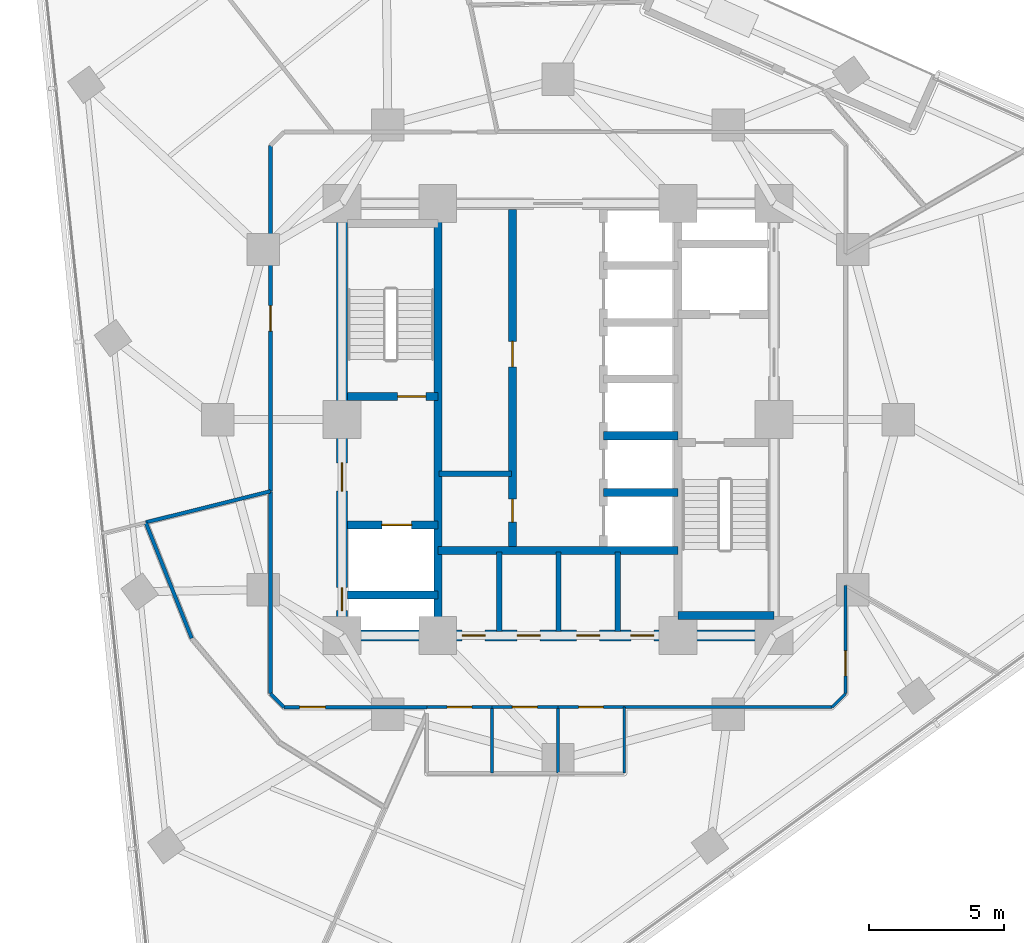
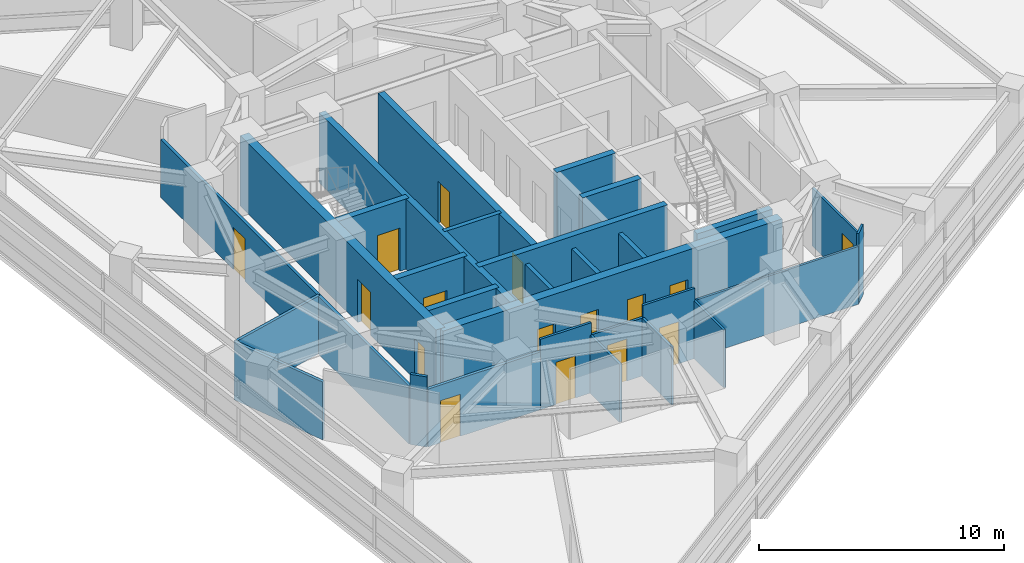
# One storey, part 8 of 14: 30 walls, 16 doors, 16 openings.
"""IFC4 building model written with IfcOpenShell, lengths in metres."""

from ifc_helpers import new_model, si_unit, direction, frame, frame_2d, origin, place, context, subcontext, project, spatial, rectangle, extrude, material, layer, layer_set, type_object, element, fill, save


model = new_model("IFC4")

# Units and contexts
model_context = context("Model", 3, precision=1e-05, world=origin(), true_north=direction((0.0, 1.0)))
body_context = subcontext(model_context, "Body", "Model", "MODEL_VIEW")
ifc_project = project(units=[si_unit("LENGTHUNIT", "METRE"), si_unit("AREAUNIT", "SQUARE_METRE"), si_unit("VOLUMEUNIT", "CUBIC_METRE"), si_unit("PLANEANGLEUNIT", "RADIAN"), si_unit("MASSUNIT", "GRAM", prefix="KILO")], contexts=[model_context])

# Site, building, storey
site_placement = place(None, origin())
site = spatial("IfcSite", under=ifc_project, at=site_placement, CompositionType="ELEMENT")
building_placement = place(site_placement, origin())
building = spatial("IfcBuilding", under=site, at=building_placement, Name="Terralouvre Media Tower", CompositionType="ELEMENT")
storey_placement = place(building_placement, frame((0.0, 0.0, 176.800048828125)))
storey = spatial("IfcBuildingStorey", under=building, at=storey_placement, Name="L45", CompositionType="ELEMENT", Elevation=176.800048828125)

# Wall
ifc_material_1 = material(Name="Concrete C50/60", Category="concrete")
ifc_layer_1 = layer(ifc_material_1, 0.300048828125, Name="Core Internal Shaft Wall CW-300")
ifc_layer_set_1 = layer_set([ifc_layer_1], Name="Concrete C50/60")
wall_type_1 = type_object("IfcWallType", Name="Core Internal Shaft Wall CW-300", PredefinedType="SHEAR", material=ifc_layer_set_1)
wall_1_placement = place(storey_placement, frame((-4.449951171875, -7.7900390625, 0.0), z_axis=(0.0, 0.0, 1.0), x_axis=(0.0, 1.0, 0.0)))
element("IfcWall", 1, at=wall_1_placement, inside=storey, type_object=wall_type_1, Name="L45 Core Shaft Wall SPW", PredefinedType="SHEAR", context=body_context, shape_type="SweptSolid", body=[
    extrude(rectangle(XDim=15.580078125, YDim=0.300048828125, at=frame_2d((7.7900390625, 0.0))), origin(), (0.0, 0.0, 1.0), 3.5),
])

# Wall, opening, door
wall_2_placement = place(storey_placement, frame((-7.7900390625, 0.85009765625, 0.0), z_axis=(0.0, 0.0, 1.0), x_axis=(1.0, 0.0, 0.0)))
wall_2 = element("IfcWall", 2, at=wall_2_placement, inside=storey, type_object=wall_type_1, Name="L45 Core Shaft Wall ST1D", PredefinedType="SHEAR", context=body_context, shape_type="SweptSolid", body=[
    extrude(rectangle(XDim=3.340087890625, YDim=0.300048828125, at=frame_2d((1.669921875, 0.0))), origin(), (0.0, 0.0, 1.0), 3.5),
])
opening_1_placement = place(wall_2_placement, frame((1.85009765625, 0.0, 0.0)))
opening_1 = element("IfcOpeningElement", 3, at=opening_1_placement, cuts=wall_2, Name="Opening FD-01-105X215", PredefinedType="OPENING", context=body_context, shape_type="SweptSolid", body=[
    extrude(rectangle(XDim=1.050048828125, YDim=2.14990234375, at=frame_2d((0.52490234375, 1.074951171875))), frame((0.0, 0.159912109375, 0.0), z_axis=(0.0, -1.0, 0.0), x_axis=(1.0, 0.0, 0.0)), (0.0, 0.0, 1.0), 0.320068359375),
])
ifc_material_2 = material(Name="Galvanised steel fire-resisting leaf", Category="steel")
door_type_1 = type_object("IfcDoorType", Name="Stair and Firefighting Lobby Fire Door FD-01 (1050x2150)", OperationType="NOTDEFINED", PredefinedType="DOOR", material=ifc_material_2)
door_1_placement = place(opening_1_placement, origin())
door_1 = element("IfcDoor", 4, at=door_1_placement, inside=storey, type_object=door_type_1, Name="L45 ST-01 Exit Stair Door", OperationType="SINGLE_SWING_LEFT", OverallHeight=2.14990234375, OverallWidth=1.050048828125, PredefinedType="DOOR", context=body_context, shape_type="SweptSolid", body=[
    extrude(rectangle(XDim=1.050048828125, YDim=2.14990234375, at=frame_2d((0.52490234375, 1.074951171875))), frame((0.0, 0.02490234375, 0.0), z_axis=(0.0, -1.0, 0.0), x_axis=(1.0, 0.0, 0.0)), (0.0, 0.0, 1.0), 0.050048828125),
])
fill(opening_1, door_1)

# Wall
wall_3_placement = place(storey_placement, frame((4.449951171875, -7.260009765625, 0.0), z_axis=(0.0, 0.0, 1.0), x_axis=(1.0, 0.0, 0.0)))
element("IfcWall", 5, at=wall_3_placement, inside=storey, type_object=wall_type_1, Name="L45 Core Shaft Wall ST2F", PredefinedType="SHEAR", context=body_context, shape_type="SweptSolid", body=[
    extrude(rectangle(XDim=3.550048828125, YDim=0.300048828125, at=frame_2d((1.77490234375, 0.0))), origin(), (0.0, 0.0, 1.0), 3.5),
])

# Wall, opening, door
wall_4_placement = place(storey_placement, frame((-7.7900390625, -3.89990234375, 0.0), z_axis=(0.0, 0.0, 1.0), x_axis=(1.0, 0.0, 0.0)))
wall_4 = element("IfcWall", 6, at=wall_4_placement, inside=storey, type_object=wall_type_1, Name="L45 Core Shaft Wall FF1N", PredefinedType="SHEAR", context=body_context, shape_type="SweptSolid", body=[
    extrude(rectangle(XDim=3.340087890625, YDim=0.300048828125, at=frame_2d((1.669921875, 0.0))), origin(), (0.0, 0.0, 1.0), 3.5),
])
opening_2_placement = place(wall_4_placement, frame((1.27001953125, 0.0, 0.0)))
opening_2 = element("IfcOpeningElement", 7, at=opening_2_placement, cuts=wall_4, Name="Opening LD-FF", PredefinedType="OPENING", context=body_context, shape_type="SweptSolid", body=[
    extrude(rectangle(XDim=1.10009765625, YDim=2.10009765625, at=frame_2d((0.550048828125, 1.050048828125))), frame((0.0, 0.159912109375, 0.0), z_axis=(0.0, -1.0, 0.0), x_axis=(1.0, 0.0, 0.0)), (0.0, 0.0, 1.0), 0.320068359375),
])
ifc_material_3 = material(Name="Stainless steel 316 handrail and balustrade", Category="steel")
door_type_2 = type_object("IfcDoorType", Name="Firefighting Lift Sliding Landing Door LD-FF", OperationType="SLIDING_TO_LEFT", PredefinedType="DOOR", material=ifc_material_3)
door_2_placement = place(opening_2_placement, origin())
door_2 = element("IfcDoor", 8, at=door_2_placement, inside=storey, type_object=door_type_2, Name="L45 Firefighting Lift FFL-01 Landing Door", OperationType="SLIDING_TO_LEFT", OverallHeight=2.10009765625, OverallWidth=1.10009765625, PredefinedType="DOOR", context=body_context, shape_type="SweptSolid", body=[
    extrude(rectangle(XDim=1.10009765625, YDim=2.10009765625, at=frame_2d((0.550048828125, 1.050048828125))), frame((0.0, 0.02490234375, 0.0), z_axis=(0.0, -1.0, 0.0), x_axis=(1.0, 0.0, 0.0)), (0.0, 0.0, 1.0), 0.050048828125),
])
fill(opening_2, door_2)

# Walls
wall_5_placement = place(storey_placement, frame((-7.7900390625, -6.5, 0.0), z_axis=(0.0, 0.0, 1.0), x_axis=(1.0, 0.0, 0.0)))
element("IfcWall", 9, at=wall_5_placement, inside=storey, type_object=wall_type_1, Name="L45 Core Shaft Wall FF1S", PredefinedType="SHEAR", context=body_context, shape_type="SweptSolid", body=[
    extrude(rectangle(XDim=3.340087890625, YDim=0.300048828125, at=frame_2d((1.669921875, 0.0))), origin(), (0.0, 0.0, 1.0), 3.5),
])
wall_6_placement = place(storey_placement, frame((-4.449951171875, -4.85009765625, 0.0), z_axis=(0.0, 0.0, 1.0), x_axis=(1.0, 0.0, 0.0)))
element("IfcWall", 10, at=wall_6_placement, inside=storey, type_object=wall_type_1, Name="L45 Core Shaft Wall CSBN", PredefinedType="SHEAR", context=body_context, shape_type="SweptSolid", body=[
    extrude(rectangle(XDim=8.89990234375, YDim=0.300048828125, at=frame_2d((4.449951171875, 0.0))), origin(), (0.0, 0.0, 1.0), 3.5),
])

# Wall, openings, doors
wall_7_placement = place(storey_placement, frame((-1.679931640625, -4.85009765625, 0.0), z_axis=(0.0, 0.0, 1.0), x_axis=(0.0, 1.0, 0.0)))
wall_7 = element("IfcWall", 11, at=wall_7_placement, inside=storey, type_object=wall_type_1, Name="L45 Core Shaft Wall LBW", PredefinedType="SHEAR", context=body_context, shape_type="SweptSolid", body=[
    extrude(rectangle(XDim=12.64013671875, YDim=0.300048828125, at=frame_2d((6.320068359375, 0.0))), origin(), (0.0, 0.0, 1.0), 3.5),
])
opening_3_placement = place(wall_7_placement, frame((1.050048828125, 0.0, 0.0)))
opening_3 = element("IfcOpeningElement", 12, at=opening_3_placement, cuts=wall_7, Name="Opening TD-R1", PredefinedType="OPENING", context=body_context, shape_type="SweptSolid", body=[
    extrude(rectangle(XDim=0.85009765625, YDim=2.02001953125, at=frame_2d((0.425048828125, 1.010009765625))), frame((0.0, 0.159912109375, 0.0), z_axis=(0.0, -1.0, 0.0), x_axis=(1.0, 0.0, 0.0)), (0.0, 0.0, 1.0), 0.320068359375),
])
opening_4_placement = place(wall_7_placement, frame((6.800048828125, 0.0, 0.0)))
opening_4 = element("IfcOpeningElement", 13, at=opening_4_placement, cuts=wall_7, Name="Opening FD-02-95X210", PredefinedType="OPENING", context=body_context, shape_type="SweptSolid", body=[
    extrude(rectangle(XDim=0.949951171875, YDim=2.10009765625, at=frame_2d((0.47509765625, 1.050048828125))), frame((0.0, 0.159912109375, 0.0), z_axis=(0.0, -1.0, 0.0), x_axis=(1.0, 0.0, 0.0)), (0.0, 0.0, 1.0), 0.320068359375),
])
ifc_material_4 = material(Name="Galvanised steel fire-resisting leaf", Category="steel")
door_type_3 = type_object("IfcDoorType", Name="Plant and Riser Fire Door FD-02 (950x2100)", OperationType="NOTDEFINED", PredefinedType="DOOR", material=ifc_material_4)
door_3_placement = place(opening_4_placement, origin())
door_3 = element("IfcDoor", 14, at=door_3_placement, inside=storey, type_object=door_type_3, Name="L45 Core Patch Rack Plant Door", OperationType="SINGLE_SWING_RIGHT", OverallHeight=2.10009765625, OverallWidth=0.949951171875, PredefinedType="DOOR", context=body_context, shape_type="SweptSolid", body=[
    extrude(rectangle(XDim=0.949951171875, YDim=2.10009765625, at=frame_2d((0.47509765625, 1.050048828125))), frame((0.0, 0.02490234375, 0.0), z_axis=(0.0, -1.0, 0.0), x_axis=(1.0, 0.0, 0.0)), (0.0, 0.0, 1.0), 0.050048828125),
])
fill(opening_4, door_3)
ifc_material_5 = material(Name="Galvanised steel fire-resisting leaf", Category="steel")
door_type_4 = type_object("IfcDoorType", Name="Riser Inspection Access Trapdoor TD-R1", OperationType="NOTDEFINED", PredefinedType="TRAPDOOR", material=ifc_material_5)
door_4_placement = place(opening_3_placement, origin())
door_4 = element("IfcDoor", 15, at=door_4_placement, inside=storey, type_object=door_type_4, Name="L45 Core Cleaners Store Door", OperationType="SINGLE_SWING_LEFT", OverallHeight=2.02001953125, OverallWidth=0.85009765625, PredefinedType="TRAPDOOR", context=body_context, shape_type="SweptSolid", body=[
    extrude(rectangle(XDim=0.85009765625, YDim=2.02001953125, at=frame_2d((0.425048828125, 1.010009765625))), frame((0.0, 0.02490234375, 0.0), z_axis=(0.0, -1.0, 0.0), x_axis=(1.0, 0.0, 0.0)), (0.0, 0.0, 1.0), 0.050048828125),
])
fill(opening_3, door_4)

# Walls
for number, where, z_axis, x_axis, name in (
    (16, (1.679931640625, -2.699951171875, 0.0), (0.0, 0.0, 1.0), (1.0, 0.0, 0.0), "L45 Core Shaft Wall PLHD1"),
    (17, (1.679931640625, -0.60009765625, 0.0), (0.0, 0.0, 1.0), (1.0, 0.0, 0.0), "L45 Core Shaft Wall PLHD2"),
):
    element("IfcWall", number, at=place(storey_placement, frame(where, z_axis=z_axis, x_axis=x_axis)), inside=storey, type_object=wall_type_1, Name=name, PredefinedType="SHEAR", context=body_context, shape_type="SweptSolid", body=[
        extrude(rectangle(XDim=2.77001953125, YDim=0.300048828125, at=frame_2d((1.385009765625, 0.0))), origin(), (0.0, 0.0, 1.0), 3.5),
    ])

# Wall, openings, doors
ifc_material_6 = material(Name="Concrete C60/75", Category="concrete")
ifc_layer_2 = layer(ifc_material_6, 0.419921875, Name="Core Reinforced Concrete Shear Wall CW-420")
ifc_layer_set_2 = layer_set([ifc_layer_2], Name="Concrete C60/75")
wall_type_2 = type_object("IfcWallType", Name="Core Reinforced Concrete Shear Wall CW-420", PredefinedType="SHEAR", material=ifc_layer_set_2)
wall_8_placement = place(storey_placement, frame((-8.0, -8.0, 0.0), z_axis=(0.0, 0.0, 1.0), x_axis=(0.0, 1.0, 0.0)))
wall_8 = element("IfcWall", 18, at=wall_8_placement, inside=storey, type_object=wall_type_2, Name="L45 W Core Shear Wall", PredefinedType="SHEAR", context=body_context, shape_type="SweptSolid", body=[
    extrude(rectangle(XDim=16.0, YDim=0.419921875, at=frame_2d((8.0, 0.0))), origin(), (0.0, 0.0, 1.0), 3.5),
])
opening_5_placement = place(wall_8_placement, frame((0.921630859375, 0.0, 0.0)))
opening_5 = element("IfcOpeningElement", 19, at=opening_5_placement, cuts=wall_8, Name="Opening TD-R1", PredefinedType="OPENING", context=body_context, shape_type="SweptSolid", body=[
    extrude(rectangle(XDim=0.85009765625, YDim=2.02001953125, at=frame_2d((0.425048828125, 1.010009765625))), frame((0.0, 0.219970703125, 0.0), z_axis=(0.0, -1.0, 0.0), x_axis=(1.0, 0.0, 0.0)), (0.0, 0.0, 1.0), 0.43994140625),
])
opening_6_placement = place(wall_8_placement, frame((5.35009765625, 0.0, 0.0)))
opening_6 = element("IfcOpeningElement", 20, at=opening_6_placement, cuts=wall_8, Name="Opening FD-01-105X215", PredefinedType="OPENING", context=body_context, shape_type="SweptSolid", body=[
    extrude(rectangle(XDim=1.050048828125, YDim=2.14990234375, at=frame_2d((0.52490234375, 1.074951171875))), frame((0.0, 0.219970703125, 0.0), z_axis=(0.0, -1.0, 0.0), x_axis=(1.0, 0.0, 0.0)), (0.0, 0.0, 1.0), 0.43994140625),
])
door_5_placement = place(opening_5_placement, origin())
door_5 = element("IfcDoor", 21, at=door_5_placement, inside=storey, type_object=door_type_4, Name="L45 Wet Riser Access Trapdoor", OperationType="SINGLE_SWING_LEFT", OverallHeight=2.02001953125, OverallWidth=0.85009765625, PredefinedType="TRAPDOOR", context=body_context, shape_type="SweptSolid", body=[
    extrude(rectangle(XDim=0.85009765625, YDim=2.02001953125, at=frame_2d((0.425048828125, 1.010009765625))), frame((0.0, 0.02490234375, 0.0), z_axis=(0.0, -1.0, 0.0), x_axis=(1.0, 0.0, 0.0)), (0.0, 0.0, 1.0), 0.050048828125),
])
fill(opening_5, door_5)
door_6_placement = place(opening_6_placement, origin())
door_6 = element("IfcDoor", 22, at=door_6_placement, inside=storey, type_object=door_type_1, Name="L45 West Firefighting Lobby Entry Door", OperationType="SINGLE_SWING_RIGHT", OverallHeight=2.14990234375, OverallWidth=1.050048828125, PredefinedType="DOOR", context=body_context, shape_type="SweptSolid", body=[
    extrude(rectangle(XDim=1.050048828125, YDim=2.14990234375, at=frame_2d((0.52490234375, 1.074951171875))), frame((0.0, 0.02490234375, 0.0), z_axis=(0.0, -1.0, 0.0), x_axis=(1.0, 0.0, 0.0)), (0.0, 0.0, 1.0), 0.050048828125),
])
fill(opening_6, door_6)

wall_9_placement = place(storey_placement, frame((-8.0, -8.0, 0.0), z_axis=(0.0, 0.0, 1.0), x_axis=(1.0, 0.0, 0.0)))
wall_9 = element("IfcWall", 23, at=wall_9_placement, inside=storey, type_object=wall_type_2, Name="L45 S Core Shear Wall", PredefinedType="SHEAR", context=body_context, shape_type="SweptSolid", body=[
    extrude(rectangle(XDim=16.0, YDim=0.419921875, at=frame_2d((8.0, 0.0))), origin(), (0.0, 0.0, 1.0), 3.5),
])
opening_7_placement = place(wall_9_placement, frame((4.44873046875, 0.0, 0.0)))
opening_7 = element("IfcOpeningElement", 24, at=opening_7_placement, cuts=wall_9, Name="Opening TD-R1", PredefinedType="OPENING", context=body_context, shape_type="SweptSolid", body=[
    extrude(rectangle(XDim=0.85009765625, YDim=2.02001953125, at=frame_2d((0.425048828125, 1.010009765625))), frame((0.0, 0.219970703125, 0.0), z_axis=(0.0, -1.0, 0.0), x_axis=(1.0, 0.0, 0.0)), (0.0, 0.0, 1.0), 0.43994140625),
])
opening_8_placement = place(wall_9_placement, frame((6.489990234375, 0.0, 0.0)))
opening_8 = element("IfcOpeningElement", 25, at=opening_8_placement, cuts=wall_9, Name="Opening TD-R1", PredefinedType="OPENING", context=body_context, shape_type="SweptSolid", body=[
    extrude(rectangle(XDim=0.85009765625, YDim=2.02001953125, at=frame_2d((0.425048828125, 1.010009765625))), frame((0.0, 0.219970703125, 0.0), z_axis=(0.0, -1.0, 0.0), x_axis=(1.0, 0.0, 0.0)), (0.0, 0.0, 1.0), 0.43994140625),
])
opening_9_placement = place(wall_9_placement, frame((8.68994140625, 0.0, 0.0)))
opening_9 = element("IfcOpeningElement", 26, at=opening_9_placement, cuts=wall_9, Name="Opening TD-R1", PredefinedType="OPENING", context=body_context, shape_type="SweptSolid", body=[
    extrude(rectangle(XDim=0.85009765625, YDim=2.02001953125, at=frame_2d((0.425048828125, 1.010009765625))), frame((0.0, 0.219970703125, 0.0), z_axis=(0.0, -1.0, 0.0), x_axis=(1.0, 0.0, 0.0)), (0.0, 0.0, 1.0), 0.43994140625),
])
opening_10_placement = place(wall_9_placement, frame((10.701416015625, 0.0, 0.0)))
opening_10 = element("IfcOpeningElement", 27, at=opening_10_placement, cuts=wall_9, Name="Opening TD-R1", PredefinedType="OPENING", context=body_context, shape_type="SweptSolid", body=[
    extrude(rectangle(XDim=0.85009765625, YDim=2.02001953125, at=frame_2d((0.425048828125, 1.010009765625))), frame((0.0, 0.219970703125, 0.0), z_axis=(0.0, -1.0, 0.0), x_axis=(1.0, 0.0, 0.0)), (0.0, 0.0, 1.0), 0.43994140625),
])
door_7_placement = place(opening_7_placement, origin())
door_7 = element("IfcDoor", 28, at=door_7_placement, inside=storey, type_object=door_type_4, Name="L45 Core Battery Plant Door", OperationType="SINGLE_SWING_LEFT", OverallHeight=2.02001953125, OverallWidth=0.85009765625, PredefinedType="TRAPDOOR", context=body_context, shape_type="SweptSolid", body=[
    extrude(rectangle(XDim=0.85009765625, YDim=2.02001953125, at=frame_2d((0.425048828125, 1.010009765625))), frame((0.0, 0.02490234375, 0.0), z_axis=(0.0, -1.0, 0.0), x_axis=(1.0, 0.0, 0.0)), (0.0, 0.0, 1.0), 0.050048828125),
])
fill(opening_7, door_7)
door_8_placement = place(opening_8_placement, origin())
door_8 = element("IfcDoor", 29, at=door_8_placement, inside=storey, type_object=door_type_4, Name="L45 Core IT Patch Plant Door", OperationType="SINGLE_SWING_RIGHT", OverallHeight=2.02001953125, OverallWidth=0.85009765625, PredefinedType="TRAPDOOR", context=body_context, shape_type="SweptSolid", body=[
    extrude(rectangle(XDim=0.85009765625, YDim=2.02001953125, at=frame_2d((0.425048828125, 1.010009765625))), frame((0.0, 0.02490234375, 0.0), z_axis=(0.0, -1.0, 0.0), x_axis=(1.0, 0.0, 0.0)), (0.0, 0.0, 1.0), 0.050048828125),
])
fill(opening_8, door_8)
door_9_placement = place(opening_9_placement, origin())
door_9 = element("IfcDoor", 30, at=door_9_placement, inside=storey, type_object=door_type_4, Name="L45 Core Housekeeping Store Door", OperationType="SINGLE_SWING_LEFT", OverallHeight=2.02001953125, OverallWidth=0.85009765625, PredefinedType="TRAPDOOR", context=body_context, shape_type="SweptSolid", body=[
    extrude(rectangle(XDim=0.85009765625, YDim=2.02001953125, at=frame_2d((0.425048828125, 1.010009765625))), frame((0.0, 0.02490234375, 0.0), z_axis=(0.0, -1.0, 0.0), x_axis=(1.0, 0.0, 0.0)), (0.0, 0.0, 1.0), 0.050048828125),
])
fill(opening_9, door_9)
door_10_placement = place(opening_10_placement, origin())
door_10 = element("IfcDoor", 31, at=door_10_placement, inside=storey, type_object=door_type_4, Name="L45 Core Smoke Damper Plant Door", OperationType="SINGLE_SWING_RIGHT", OverallHeight=2.02001953125, OverallWidth=0.85009765625, PredefinedType="TRAPDOOR", context=body_context, shape_type="SweptSolid", body=[
    extrude(rectangle(XDim=0.85009765625, YDim=2.02001953125, at=frame_2d((0.425048828125, 1.010009765625))), frame((0.0, 0.02490234375, 0.0), z_axis=(0.0, -1.0, 0.0), x_axis=(1.0, 0.0, 0.0)), (0.0, 0.0, 1.0), 0.050048828125),
])
fill(opening_10, door_10)

# Walls
ifc_material_7 = material(Name="Low-iron laminated double glazing with solar-control coating", Category="glass")
ifc_layer_3 = layer(ifc_material_7, 0.10009765625, Name="Demountable Glazed Office Partition PT-GL100")
ifc_layer_set_3 = layer_set([ifc_layer_3], Name="Low-iron laminated double glazing with solar-control coating")
wall_type_3 = type_object("IfcWallType", Name="Demountable Glazed Office Partition PT-GL100", PredefinedType="MOVABLE", material=ifc_layer_set_3)
wall_10_placement = place(storey_placement, frame((2.449951171875, -10.64990234375, 0.0), z_axis=(0.0, 0.0, 1.0), x_axis=(1.0, 0.0, 0.0)))
element("IfcWall", 32, at=wall_10_placement, inside=storey, type_object=wall_type_3, Name="L45 Interior Partition 006", PredefinedType="MOVABLE", context=body_context, shape_type="SweptSolid", body=[
    extrude(rectangle(XDim=7.699951171875, YDim=0.10009765625, at=frame_2d((3.85009765625, 0.0))), origin(), (0.0, 0.0, 1.0), 2.885009765625),
])
wall_11_placement = place(storey_placement, frame((10.14990234375, -10.64990234375, 0.0), z_axis=(0.0, 0.0, 1.0), x_axis=(0.707106781187, 0.707106781187, 0.0)))
element("IfcWall", 33, at=wall_11_placement, inside=storey, type_object=wall_type_3, Name="L45 Interior Partition 007", PredefinedType="MOVABLE", context=body_context, shape_type="SweptSolid", body=[
    extrude(rectangle(XDim=0.70703125, YDim=0.10009765625, at=frame_2d((0.353515625, 0.0))), origin(), (0.0, 0.0, 1.0), 3.5),
])

# Wall, opening, door
wall_12_placement = place(storey_placement, frame((10.64990234375, -10.14990234375, 0.0), z_axis=(0.0, 0.0, 1.0), x_axis=(0.0, 1.0, 0.0)))
wall_12 = element("IfcWall", 34, at=wall_12_placement, inside=storey, type_object=wall_type_3, Name="L45 Interior Partition 008", PredefinedType="MOVABLE", context=body_context, shape_type="SweptSolid", body=[
    extrude(rectangle(XDim=4.0009765625, YDim=0.10009765625, at=frame_2d((2.00048828125, 0.0))), origin(), (0.0, 0.0, 1.0), 2.885009765625),
])
opening_11_placement = place(wall_12_placement, frame((0.660400390625, 0.0, 0.0)))
opening_11 = element("IfcOpeningElement", 35, at=opening_11_placement, cuts=wall_12, Name="Opening ID-03-92X210", PredefinedType="OPENING", context=body_context, shape_type="SweptSolid", body=[
    extrude(rectangle(XDim=0.919921875, YDim=2.10009765625, at=frame_2d((0.4599609375, 1.050048828125))), frame((0.0, 0.06005859375, 0.0), z_axis=(0.0, -1.0, 0.0), x_axis=(1.0, 0.0, 0.0)), (0.0, 0.0, 1.0), 0.1201171875),
])
ifc_material_8 = material(Name="Engineered hardwood acoustic timber leaf", Category="wood")
door_type_5 = type_object("IfcDoorType", Name="Accessible Restroom and Suite Door ID-03 (920x2100)", OperationType="NOTDEFINED", PredefinedType="DOOR", material=ifc_material_8)
door_11_placement = place(opening_11_placement, origin())
door_11 = element("IfcDoor", 36, at=door_11_placement, inside=storey, type_object=door_type_5, Name="L45 Design Critique Boardroom 3 Door", OperationType="SINGLE_SWING_LEFT", OverallHeight=2.10009765625, OverallWidth=0.919921875, PredefinedType="DOOR", context=body_context, shape_type="SweptSolid", body=[
    extrude(rectangle(XDim=0.919921875, YDim=2.10009765625, at=frame_2d((0.4599609375, 1.050048828125))), frame((0.0, 0.02490234375, 0.0), z_axis=(0.0, -1.0, 0.0), x_axis=(1.0, 0.0, 0.0)), (0.0, 0.0, 1.0), 0.050048828125),
])
fill(opening_11, door_11)

# Walls
wall_13_placement = place(storey_placement, frame((2.449951171875, -10.64990234375, 0.0), z_axis=(0.0, 0.0, 1.0), x_axis=(0.0, -1.0, 0.0)))
element("IfcWall", 37, at=wall_13_placement, inside=storey, type_object=wall_type_3, Name="L45 Interior Partition 030", PredefinedType="MOVABLE", context=body_context, shape_type="SweptSolid", body=[
    extrude(rectangle(XDim=2.4501953125, YDim=0.10009765625, at=frame_2d((1.22509765625, 0.0))), origin(), (0.0, 0.0, 1.0), 2.885009765625),
])
ifc_material_9 = material(Name="Fire-rated gypsum board drywall partition")
ifc_layer_4 = layer(ifc_material_9, 0.199951171875, Name="Fire-Rated Shaft and Lobby Partition FW-200")
ifc_layer_set_4 = layer_set([ifc_layer_4], Name="Fire-rated gypsum board drywall partition")
wall_type_4 = type_object("IfcWallType", Name="Fire-Rated Shaft and Lobby Partition FW-200", PredefinedType="SOLIDWALL", material=ifc_layer_set_4)
for number, where, z_axis, x_axis, name in (
    (38, (-2.179931640625, -7.85009765625, 0.0), (0.0, 0.0, 1.0), (0.0, 1.0, 0.0), "L45 Core Service Bay Partition 1"),
    (39, (0.02001953125, -7.85009765625, 0.0), (0.0, 0.0, 1.0), (0.0, 1.0, 0.0), "L45 Core Service Bay Partition 2"),
    (40, (2.219970703125, -7.85009765625, 0.0), (0.0, 0.0, 1.0), (0.0, 1.0, 0.0), "L45 Core Service Bay Partition 3"),
):
    element("IfcWall", number, at=place(storey_placement, frame(where, z_axis=z_axis, x_axis=x_axis)), inside=storey, type_object=wall_type_4, Name=name, PredefinedType="SOLIDWALL", context=body_context, shape_type="SweptSolid", body=[
        extrude(rectangle(XDim=2.9501953125, YDim=0.199951171875, at=frame_2d((1.47509765625, 0.0))), origin(), (0.0, 0.0, 1.0), 2.885009765625),
    ])
wall_14_placement = place(storey_placement, frame((-4.39990234375, -2.010009765625, 0.0), z_axis=(0.0, 0.0, 1.0), x_axis=(1.0, 0.0, 0.0)))
element("IfcWall", 41, at=wall_14_placement, inside=storey, type_object=wall_type_4, Name="L45 Core West Sub-Partition 1", PredefinedType="SOLIDWALL", context=body_context, shape_type="SweptSolid", body=[
    extrude(rectangle(XDim=2.679931640625, YDim=0.199951171875, at=frame_2d((1.33984375, 0.0))), origin(), (0.0, 0.0, 1.0), 3.5),
])
ifc_material_10 = material(Name="Fire-rated gypsum board drywall partition")
ifc_layer_5 = layer(ifc_material_10, 0.135009765625, Name="Newsroom Acoustic Partition PT-135")
ifc_layer_set_5 = layer_set([ifc_layer_5], Name="Fire-rated gypsum board drywall partition")
wall_type_5 = type_object("IfcWallType", Name="Newsroom Acoustic Partition PT-135", PredefinedType="PARTITIONING", material=ifc_layer_set_5)
wall_15_placement = place(storey_placement, frame((-10.64990234375, -2.655029296875, 0.0), z_axis=(0.0, 0.0, 1.0), x_axis=(0.0, -1.0, 0.0)))
element("IfcWall", 42, at=wall_15_placement, inside=storey, type_object=wall_type_5, Name="L45 Interior Partition 001", PredefinedType="PARTITIONING", context=body_context, shape_type="SweptSolid", body=[
    extrude(rectangle(XDim=7.494873046875, YDim=0.135009765625, at=frame_2d((3.74755859375, 0.0))), origin(), (0.0, 0.0, 1.0), 2.885009765625),
])
wall_16_placement = place(storey_placement, frame((-10.64990234375, -10.14990234375, 0.0), z_axis=(0.0, 0.0, 1.0), x_axis=(0.707106781187, -0.707106781187, 0.0)))
element("IfcWall", 43, at=wall_16_placement, inside=storey, type_object=wall_type_5, Name="L45 Interior Partition 002", PredefinedType="PARTITIONING", context=body_context, shape_type="SweptSolid", body=[
    extrude(rectangle(XDim=0.70703125, YDim=0.135009765625, at=frame_2d((0.353515625, 0.0))), origin(), (0.0, 0.0, 1.0), 3.5),
])

# Wall, opening, door
wall_17_placement = place(storey_placement, frame((-10.14990234375, -10.64990234375, 0.0), z_axis=(0.0, 0.0, 1.0), x_axis=(1.0, 0.0, 0.0)))
wall_17 = element("IfcWall", 44, at=wall_17_placement, inside=storey, type_object=wall_type_5, Name="L45 Interior Partition 003", PredefinedType="PARTITIONING", context=body_context, shape_type="SweptSolid", body=[
    extrude(rectangle(XDim=5.2998046875, YDim=0.135009765625, at=frame_2d((2.64990234375, 0.0))), origin(), (0.0, 0.0, 1.0), 2.885009765625),
])
opening_12_placement = place(wall_17_placement, frame((0.5849609375, 0.0, 0.0)))
opening_12 = element("IfcOpeningElement", 45, at=opening_12_placement, cuts=wall_17, Name="Opening ID-02-95X210", PredefinedType="OPENING", context=body_context, shape_type="SweptSolid", body=[
    extrude(rectangle(XDim=0.949951171875, YDim=2.10009765625, at=frame_2d((0.47509765625, 1.050048828125))), frame((0.0, 0.077392578125, 0.0), z_axis=(0.0, -1.0, 0.0), x_axis=(1.0, 0.0, 0.0)), (0.0, 0.0, 1.0), 0.155029296875),
])
ifc_material_11 = material(Name="Engineered hardwood acoustic timber leaf", Category="wood")
door_type_6 = type_object("IfcDoorType", Name="Office and Meeting Room Door ID-02 (950x2100)", OperationType="NOTDEFINED", PredefinedType="DOOR", material=ifc_material_11)
door_12_placement = place(opening_12_placement, origin())
door_12 = element("IfcDoor", 46, at=door_12_placement, inside=storey, type_object=door_type_6, Name="L45 Data Visualization Workspace 1 Door", OperationType="SINGLE_SWING_RIGHT", OverallHeight=2.10009765625, OverallWidth=0.949951171875, PredefinedType="DOOR", context=body_context, shape_type="SweptSolid", body=[
    extrude(rectangle(XDim=0.949951171875, YDim=2.10009765625, at=frame_2d((0.47509765625, 1.050048828125))), frame((0.0, 0.02490234375, 0.0), z_axis=(0.0, -1.0, 0.0), x_axis=(1.0, 0.0, 0.0)), (0.0, 0.0, 1.0), 0.050048828125),
])
fill(opening_12, door_12)

wall_18_placement = place(storey_placement, frame((-10.64990234375, 10.14990234375, 0.0), z_axis=(0.0, 0.0, 1.0), x_axis=(0.0, -1.0, 0.0)))
wall_18 = element("IfcWall", 47, at=wall_18_placement, inside=storey, type_object=wall_type_5, Name="L45 Interior Partition 017", PredefinedType="PARTITIONING", context=body_context, shape_type="SweptSolid", body=[
    extrude(rectangle(XDim=12.804931640625, YDim=0.135009765625, at=frame_2d((6.40234375, 0.0))), origin(), (0.0, 0.0, 1.0), 2.885009765625),
])
opening_13_placement = place(wall_18_placement, frame((5.927490234375, 0.0, 0.0)))
opening_13 = element("IfcOpeningElement", 48, at=opening_13_placement, cuts=wall_18, Name="Opening ID-02-95X210", PredefinedType="OPENING", context=body_context, shape_type="SweptSolid", body=[
    extrude(rectangle(XDim=0.949951171875, YDim=2.10009765625, at=frame_2d((0.47509765625, 1.050048828125))), frame((0.0, 0.077392578125, 0.0), z_axis=(0.0, -1.0, 0.0), x_axis=(1.0, 0.0, 0.0)), (0.0, 0.0, 1.0), 0.155029296875),
])
door_13_placement = place(opening_13_placement, origin())
door_13 = element("IfcDoor", 49, at=door_13_placement, inside=storey, type_object=door_type_6, Name="L45 Developer Rest Lounge 9 Door", OperationType="SINGLE_SWING_RIGHT", OverallHeight=2.10009765625, OverallWidth=0.949951171875, PredefinedType="DOOR", context=body_context, shape_type="SweptSolid", body=[
    extrude(rectangle(XDim=0.949951171875, YDim=2.10009765625, at=frame_2d((0.47509765625, 1.050048828125))), frame((0.0, 0.02490234375, 0.0), z_axis=(0.0, -1.0, 0.0), x_axis=(1.0, 0.0, 0.0)), (0.0, 0.0, 1.0), 0.050048828125),
])
fill(opening_13, door_13)

# Walls
wall_19_placement = place(storey_placement, frame((-15.27099609375, -3.80810546875, 0.0), z_axis=(0.0, 0.0, 1.0), x_axis=(0.369182774414, -0.929356809345, 0.0)))
element("IfcWall", 50, at=wall_19_placement, inside=storey, type_object=wall_type_5, Name="L45 Interior Partition 018", PredefinedType="PARTITIONING", context=body_context, shape_type="SweptSolid", body=[
    extrude(rectangle(XDim=4.615966796875, YDim=0.135009765625, at=frame_2d((2.30810546875, 0.0))), origin(), (0.0, 0.0, 1.0), 2.885009765625),
])
wall_20_placement = place(storey_placement, frame((-10.64990234375, -2.655029296875, 0.0), z_axis=(0.0, 0.0, 1.0), x_axis=(-0.970250953753, -0.242101397643, 0.0)))
element("IfcWall", 51, at=wall_20_placement, inside=storey, type_object=wall_type_5, Name="L45 Interior Partition 022", PredefinedType="PARTITIONING", context=body_context, shape_type="SweptSolid", body=[
    extrude(rectangle(XDim=4.7626953125, YDim=0.135009765625, at=frame_2d((2.38134765625, 0.0))), origin(), (0.0, 0.0, 1.0), 2.885009765625),
])

# Wall, opening, door
ifc_material_12 = material(Name="Fire-rated gypsum board drywall partition")
ifc_layer_6 = layer(ifc_material_12, 0.114990234375, Name="Restroom and Pantry Partition PT-115")
ifc_layer_set_6 = layer_set([ifc_layer_6], Name="Fire-rated gypsum board drywall partition")
wall_type_6 = type_object("IfcWallType", Name="Restroom and Pantry Partition PT-115", PredefinedType="PARTITIONING", material=ifc_layer_set_6)
wall_21_placement = place(storey_placement, frame((-4.85009765625, -10.64990234375, 0.0), z_axis=(0.0, 0.0, 1.0), x_axis=(1.0, 0.0, 0.0)))
wall_21 = element("IfcWall", 52, at=wall_21_placement, inside=storey, type_object=wall_type_6, Name="L45 Interior Partition 004", PredefinedType="PARTITIONING", context=body_context, shape_type="SweptSolid", body=[
    extrude(rectangle(XDim=2.400146484375, YDim=0.114990234375, at=frame_2d((1.2001953125, 0.0))), origin(), (0.0, 0.0, 1.0), 3.5),
])
opening_14_placement = place(wall_21_placement, frame((0.739990234375, 0.0, 0.0)))
opening_14 = element("IfcOpeningElement", 53, at=opening_14_placement, cuts=wall_21, Name="Opening ID-03-92X210", PredefinedType="OPENING", context=body_context, shape_type="SweptSolid", body=[
    extrude(rectangle(XDim=0.919921875, YDim=2.10009765625, at=frame_2d((0.4599609375, 1.050048828125))), frame((0.0, 0.0673828125, 0.0), z_axis=(0.0, -1.0, 0.0), x_axis=(1.0, 0.0, 0.0)), (0.0, 0.0, 1.0), 0.135009765625),
])
door_14_placement = place(opening_14_placement, origin())
door_14 = element("IfcDoor", 54, at=door_14_placement, inside=storey, type_object=door_type_5, Name="L45 Male Restroom WC Door", OperationType="SINGLE_SWING_LEFT", OverallHeight=2.10009765625, OverallWidth=0.919921875, PredefinedType="DOOR", context=body_context, shape_type="SweptSolid", body=[
    extrude(rectangle(XDim=0.919921875, YDim=2.10009765625, at=frame_2d((0.4599609375, 1.050048828125))), frame((0.0, 0.02490234375, 0.0), z_axis=(0.0, -1.0, 0.0), x_axis=(1.0, 0.0, 0.0)), (0.0, 0.0, 1.0), 0.050048828125),
])
fill(opening_14, door_14)

wall_22_placement = place(storey_placement, frame((-2.449951171875, -10.64990234375, 0.0), z_axis=(0.0, 0.0, 1.0), x_axis=(1.0, 0.0, 0.0)))
wall_22 = element("IfcWall", 55, at=wall_22_placement, inside=storey, type_object=wall_type_6, Name="L45 Interior Partition 005", PredefinedType="PARTITIONING", context=body_context, shape_type="SweptSolid", body=[
    extrude(rectangle(XDim=2.449951171875, YDim=0.114990234375, at=frame_2d((1.22509765625, 0.0))), origin(), (0.0, 0.0, 1.0), 2.885009765625),
])
opening_15_placement = place(wall_22_placement, frame((0.764892578125, 0.0, 0.0)))
opening_15 = element("IfcOpeningElement", 56, at=opening_15_placement, cuts=wall_22, Name="Opening ID-03-92X210", PredefinedType="OPENING", context=body_context, shape_type="SweptSolid", body=[
    extrude(rectangle(XDim=0.919921875, YDim=2.10009765625, at=frame_2d((0.4599609375, 1.050048828125))), frame((0.0, 0.0673828125, 0.0), z_axis=(0.0, -1.0, 0.0), x_axis=(1.0, 0.0, 0.0)), (0.0, 0.0, 1.0), 0.135009765625),
])
door_15_placement = place(opening_15_placement, origin())
door_15 = element("IfcDoor", 57, at=door_15_placement, inside=storey, type_object=door_type_5, Name="L45 Female Restroom WC Door", OperationType="SINGLE_SWING_RIGHT", OverallHeight=2.10009765625, OverallWidth=0.919921875, PredefinedType="DOOR", context=body_context, shape_type="SweptSolid", body=[
    extrude(rectangle(XDim=0.919921875, YDim=2.10009765625, at=frame_2d((0.4599609375, 1.050048828125))), frame((0.0, 0.02490234375, 0.0), z_axis=(0.0, -1.0, 0.0), x_axis=(1.0, 0.0, 0.0)), (0.0, 0.0, 1.0), 0.050048828125),
])
fill(opening_15, door_15)

wall_23_placement = place(storey_placement, frame((0.0, -10.64990234375, 0.0), z_axis=(0.0, 0.0, 1.0), x_axis=(1.0, 0.0, 0.0)))
wall_23 = element("IfcWall", 58, at=wall_23_placement, inside=storey, type_object=wall_type_6, Name="L45 Interior Partition 009", PredefinedType="PARTITIONING", context=body_context, shape_type="SweptSolid", body=[
    extrude(rectangle(XDim=2.449951171875, YDim=0.114990234375, at=frame_2d((1.22509765625, 0.0))), origin(), (0.0, 0.0, 1.0), 3.5),
])
opening_16_placement = place(wall_23_placement, frame((0.764892578125, 0.0, 0.0)))
opening_16 = element("IfcOpeningElement", 59, at=opening_16_placement, cuts=wall_23, Name="Opening ID-03-92X210", PredefinedType="OPENING", context=body_context, shape_type="SweptSolid", body=[
    extrude(rectangle(XDim=0.919921875, YDim=2.10009765625, at=frame_2d((0.4599609375, 1.050048828125))), frame((0.0, 0.0673828125, 0.0), z_axis=(0.0, -1.0, 0.0), x_axis=(1.0, 0.0, 0.0)), (0.0, 0.0, 1.0), 0.135009765625),
])
door_16_placement = place(opening_16_placement, origin())
door_16 = element("IfcDoor", 60, at=door_16_placement, inside=storey, type_object=door_type_5, Name="L45 Accessible Unisex WC Door", OperationType="SINGLE_SWING_RIGHT", OverallHeight=2.10009765625, OverallWidth=0.919921875, PredefinedType="DOOR", context=body_context, shape_type="SweptSolid", body=[
    extrude(rectangle(XDim=0.919921875, YDim=2.10009765625, at=frame_2d((0.4599609375, 1.050048828125))), frame((0.0, 0.02490234375, 0.0), z_axis=(0.0, -1.0, 0.0), x_axis=(1.0, 0.0, 0.0)), (0.0, 0.0, 1.0), 0.050048828125),
])
fill(opening_16, door_16)

# Walls
for number, where, z_axis, x_axis, name in (
    (61, (-2.449951171875, -13.10009765625, 0.0), (0.0, 0.0, 1.0), (0.0, 1.0, 0.0), "L45 Interior Partition 025"),
    (62, (0.0, -13.10009765625, 0.0), (0.0, 0.0, 1.0), (0.0, 1.0, 0.0), "L45 Interior Partition 029"),
):
    element("IfcWall", number, at=place(storey_placement, frame(where, z_axis=z_axis, x_axis=x_axis)), inside=storey, type_object=wall_type_6, Name=name, PredefinedType="PARTITIONING", context=body_context, shape_type="SweptSolid", body=[
        extrude(rectangle(XDim=2.4501953125, YDim=0.114990234375, at=frame_2d((1.22509765625, 0.0))), origin(), (0.0, 0.0, 1.0), 2.885009765625),
    ])

save(model, "model.ifc")
